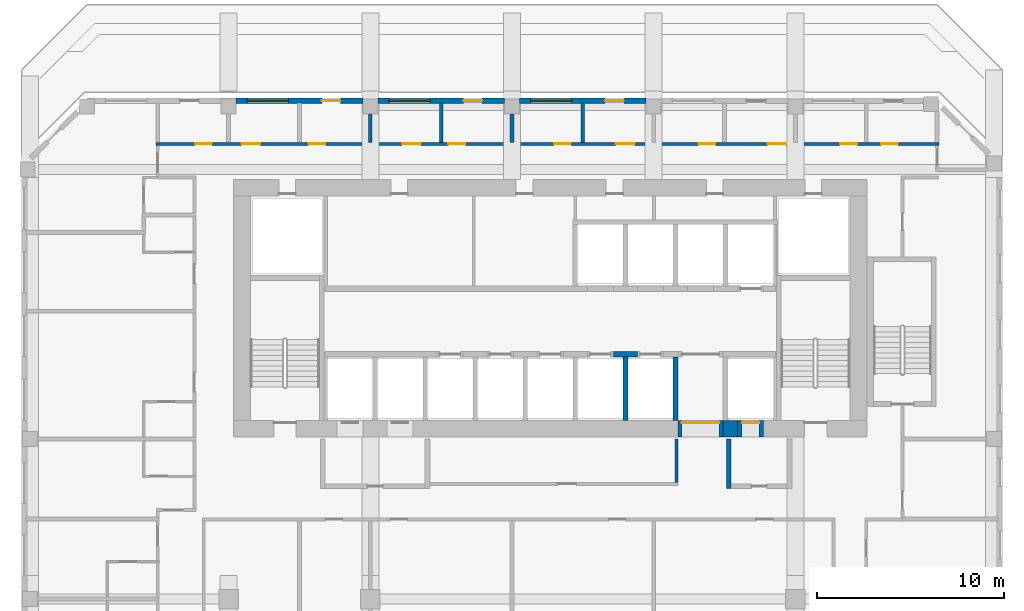
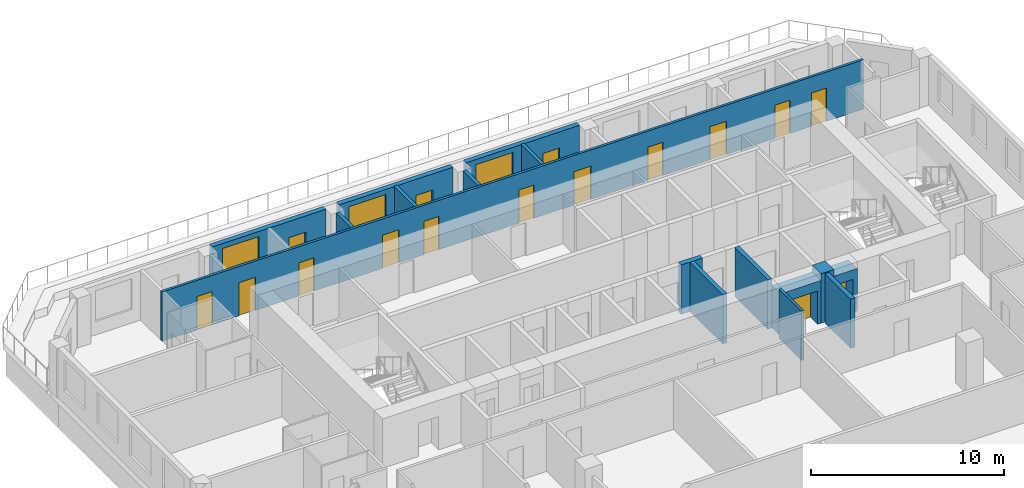
# One storey, part 9 of 16: 16 doors, 16 walls, 3 windows, 19 openings.
"""IFC4 building model written with IfcOpenShell, lengths in metres."""

from ifc_helpers import new_model, si_unit, direction, frame, frame_2d, origin, place, context, subcontext, project, spatial, rectangle, extrude, source, transform, mapped, material, layer, layer_set, type_object, element, fill, save


model = new_model("IFC4")

# Units and contexts
model_context = context("Model", 3, precision=1e-05, world=origin(), true_north=direction((0.0, 1.0)))
body_context = subcontext(model_context, "Body", "Model", "MODEL_VIEW")
ifc_project = project(units=[si_unit("LENGTHUNIT", "METRE"), si_unit("AREAUNIT", "SQUARE_METRE"), si_unit("VOLUMEUNIT", "CUBIC_METRE"), si_unit("PLANEANGLEUNIT", "RADIAN"), si_unit("MASSUNIT", "GRAM", prefix="KILO")], contexts=[model_context])

# Site, building, storey
site_placement = place(None, origin())
site = spatial("IfcSite", under=ifc_project, at=site_placement, CompositionType="ELEMENT")
building_placement = place(site_placement, origin())
building = spatial("IfcBuilding", under=site, at=building_placement, Name="Kilnfold Tower and Market Hall", CompositionType="ELEMENT")
storey_placement = place(building_placement, frame((0.0, 0.0, 168.5)))
storey = spatial("IfcBuildingStorey", under=building, at=storey_placement, Name="L39", CompositionType="ELEMENT", Elevation=168.5)

# Wall, openings, doors
ifc_material_1 = material(Name="Gypsum board on steel studs", Category="steel")
ifc_layer_1 = layer(ifc_material_1, 0.14990234375)
ifc_layer_set_1 = layer_set([ifc_layer_1], Name="Gypsum board on steel studs")
wall_type_1 = type_object("IfcWallType", Name="WALL CORRIDOR 150", PredefinedType="PARTITIONING", material=ifc_layer_set_1)
wall_1_placement = place(storey_placement, frame((-20.05908203125, 23.800048828125, 0.0), z_axis=(0.0, 0.0, 1.0), x_axis=(1.0, 0.0, 0.0)))
wall_1 = element("IfcWall", 1, at=wall_1_placement, inside=storey, type_object=wall_type_1, Name="Partition LY26.39", PredefinedType="PARTITIONING", context=body_context, shape_type="SweptSolid", body=[
    extrude(rectangle(XDim=41.9091796875, YDim=0.14990234375, at=frame_2d((20.95458984375, 0.0))), origin(), (0.0, 0.0, 1.0), 3.1201171875),
])
opening_1_placement = place(wall_1_placement, frame((2.10107421875, 0.0, 0.0)))
opening_1 = element("IfcOpeningElement", 2, at=opening_1_placement, cuts=wall_1, Name="Opening D2", PredefinedType="OPENING", context=body_context, shape_type="SweptSolid", body=[
    extrude(rectangle(XDim=0.89990234375, YDim=2.10009765625, at=frame_2d((0.449951171875, 1.050048828125))), frame((0.0, 0.0849609375, 0.0), z_axis=(0.0, -1.0, 0.0), x_axis=(1.0, 0.0, 0.0)), (0.0, 0.0, 1.0), 0.169921875),
])
opening_2_placement = place(wall_1_placement, frame((4.5849609375, 0.0, 0.0)))
opening_2 = element("IfcOpeningElement", 3, at=opening_2_placement, cuts=wall_1, Name="Opening D4", PredefinedType="OPENING", context=body_context, shape_type="SweptSolid", body=[
    extrude(rectangle(XDim=1.0, YDim=2.10009765625, at=frame_2d((0.5, 1.050048828125))), frame((0.0, 0.0849609375, 0.0), z_axis=(0.0, -1.0, 0.0), x_axis=(1.0, 0.0, 0.0)), (0.0, 0.0, 1.0), 0.169921875),
])
opening_3_placement = place(wall_1_placement, frame((8.175048828125, 0.0, 0.0)))
opening_3 = element("IfcOpeningElement", 4, at=opening_3_placement, cuts=wall_1, Name="Opening D2", PredefinedType="OPENING", context=body_context, shape_type="SweptSolid", body=[
    extrude(rectangle(XDim=0.89990234375, YDim=2.10009765625, at=frame_2d((0.449951171875, 1.050048828125))), frame((0.0, 0.0849609375, 0.0), z_axis=(0.0, -1.0, 0.0), x_axis=(1.0, 0.0, 0.0)), (0.0, 0.0, 1.0), 0.169921875),
])
opening_4_placement = place(wall_1_placement, frame((13.173095703125, 0.0, 0.0)))
opening_4 = element("IfcOpeningElement", 5, at=opening_4_placement, cuts=wall_1, Name="Opening D4", PredefinedType="OPENING", context=body_context, shape_type="SweptSolid", body=[
    extrude(rectangle(XDim=1.0, YDim=2.10009765625, at=frame_2d((0.5, 1.050048828125))), frame((0.0, 0.0849609375, 0.0), z_axis=(0.0, -1.0, 0.0), x_axis=(1.0, 0.0, 0.0)), (0.0, 0.0, 1.0), 0.169921875),
])
opening_5_placement = place(wall_1_placement, frame((15.657958984375, 0.0, 0.0)))
opening_5 = element("IfcOpeningElement", 6, at=opening_5_placement, cuts=wall_1, Name="Opening D2", PredefinedType="OPENING", context=body_context, shape_type="SweptSolid", body=[
    extrude(rectangle(XDim=0.89990234375, YDim=2.10009765625, at=frame_2d((0.449951171875, 1.050048828125))), frame((0.0, 0.0849609375, 0.0), z_axis=(0.0, -1.0, 0.0), x_axis=(1.0, 0.0, 0.0)), (0.0, 0.0, 1.0), 0.169921875),
])
opening_6_placement = place(wall_1_placement, frame((21.31494140625, 0.0, 0.0)))
opening_6 = element("IfcOpeningElement", 7, at=opening_6_placement, cuts=wall_1, Name="Opening D2", PredefinedType="OPENING", context=body_context, shape_type="SweptSolid", body=[
    extrude(rectangle(XDim=0.89990234375, YDim=2.10009765625, at=frame_2d((0.449951171875, 1.050048828125))), frame((0.0, 0.0849609375, 0.0), z_axis=(0.0, -1.0, 0.0), x_axis=(1.0, 0.0, 0.0)), (0.0, 0.0, 1.0), 0.169921875),
])
opening_7_placement = place(wall_1_placement, frame((24.625, 0.0, 0.0)))
opening_7 = element("IfcOpeningElement", 8, at=opening_7_placement, cuts=wall_1, Name="Opening D4", PredefinedType="OPENING", context=body_context, shape_type="SweptSolid", body=[
    extrude(rectangle(XDim=1.0, YDim=2.10009765625, at=frame_2d((0.5, 1.050048828125))), frame((0.0, 0.0849609375, 0.0), z_axis=(0.0, -1.0, 0.0), x_axis=(1.0, 0.0, 0.0)), (0.0, 0.0, 1.0), 0.169921875),
])
opening_8_placement = place(wall_1_placement, frame((29.04296875, 0.0, 0.0)))
opening_8 = element("IfcOpeningElement", 9, at=opening_8_placement, cuts=wall_1, Name="Opening D2", PredefinedType="OPENING", context=body_context, shape_type="SweptSolid", body=[
    extrude(rectangle(XDim=0.89990234375, YDim=2.10009765625, at=frame_2d((0.449951171875, 1.050048828125))), frame((0.0, 0.0849609375, 0.0), z_axis=(0.0, -1.0, 0.0), x_axis=(1.0, 0.0, 0.0)), (0.0, 0.0, 1.0), 0.169921875),
])
opening_9_placement = place(wall_1_placement, frame((32.735107421875, 0.0, 0.0)))
opening_9 = element("IfcOpeningElement", 10, at=opening_9_placement, cuts=wall_1, Name="Opening D4", PredefinedType="OPENING", context=body_context, shape_type="SweptSolid", body=[
    extrude(rectangle(XDim=1.0, YDim=2.10009765625, at=frame_2d((0.5, 1.050048828125))), frame((0.0, 0.0849609375, 0.0), z_axis=(0.0, -1.0, 0.0), x_axis=(1.0, 0.0, 0.0)), (0.0, 0.0, 1.0), 0.169921875),
])
opening_10_placement = place(wall_1_placement, frame((36.626953125, 0.0, 0.0)))
opening_10 = element("IfcOpeningElement", 11, at=opening_10_placement, cuts=wall_1, Name="Opening D2", PredefinedType="OPENING", context=body_context, shape_type="SweptSolid", body=[
    extrude(rectangle(XDim=0.89990234375, YDim=2.10009765625, at=frame_2d((0.449951171875, 1.050048828125))), frame((0.0, 0.0849609375, 0.0), z_axis=(0.0, -1.0, 0.0), x_axis=(1.0, 0.0, 0.0)), (0.0, 0.0, 1.0), 0.169921875),
])
opening_11_placement = place(wall_1_placement, frame((38.80810546875, 0.0, 0.0)))
opening_11 = element("IfcOpeningElement", 12, at=opening_11_placement, cuts=wall_1, Name="Opening D2", PredefinedType="OPENING", context=body_context, shape_type="SweptSolid", body=[
    extrude(rectangle(XDim=0.89990234375, YDim=2.10009765625, at=frame_2d((0.449951171875, 1.050048828125))), frame((0.0, 0.0849609375, 0.0), z_axis=(0.0, -1.0, 0.0), x_axis=(1.0, 0.0, 0.0)), (0.0, 0.0, 1.0), 0.169921875),
])
ifc_material_2 = material(Name="Timber veneer door leaf in steel frame", Category="steel")
door_type_1 = type_object("IfcDoorType", Name="DOOR ROOM 900 X2100", OperationType="NOTDEFINED", PredefinedType="DOOR", material=ifc_material_2)
door_1_placement = place(opening_1_placement, origin())
door_1 = element("IfcDoor", 13, at=door_1_placement, inside=storey, type_object=door_type_1, Name="Door D2", OperationType="SINGLE_SWING_RIGHT", OverallHeight=2.10009765625, OverallWidth=0.89990234375, PredefinedType="DOOR", context=body_context, shape_type="SweptSolid", body=[
    extrude(rectangle(XDim=0.89990234375, YDim=2.10009765625, at=frame_2d((0.449951171875, 1.050048828125))), frame((0.0, 0.02490234375, 0.0), z_axis=(0.0, -1.0, 0.0), x_axis=(1.0, 0.0, 0.0)), (0.0, 0.0, 1.0), 0.050048828125),
])
fill(opening_1, door_1)
door_2_placement = place(opening_3_placement, origin())
door_2 = element("IfcDoor", 14, at=door_2_placement, inside=storey, type_object=door_type_1, Name="Door D2", OperationType="SINGLE_SWING_LEFT", OverallHeight=2.10009765625, OverallWidth=0.89990234375, PredefinedType="DOOR", context=body_context, shape_type="SweptSolid", body=[
    extrude(rectangle(XDim=0.89990234375, YDim=2.10009765625, at=frame_2d((0.449951171875, 1.050048828125))), frame((0.0, 0.02490234375, 0.0), z_axis=(0.0, -1.0, 0.0), x_axis=(1.0, 0.0, 0.0)), (0.0, 0.0, 1.0), 0.050048828125),
])
fill(opening_3, door_2)
door_3_placement = place(opening_5_placement, origin())
door_3 = element("IfcDoor", 15, at=door_3_placement, inside=storey, type_object=door_type_1, Name="Door D2", OperationType="SINGLE_SWING_RIGHT", OverallHeight=2.10009765625, OverallWidth=0.89990234375, PredefinedType="DOOR", context=body_context, shape_type="SweptSolid", body=[
    extrude(rectangle(XDim=0.89990234375, YDim=2.10009765625, at=frame_2d((0.449951171875, 1.050048828125))), frame((0.0, 0.02490234375, 0.0), z_axis=(0.0, -1.0, 0.0), x_axis=(1.0, 0.0, 0.0)), (0.0, 0.0, 1.0), 0.050048828125),
])
fill(opening_5, door_3)
door_4_placement = place(opening_6_placement, origin())
door_4 = element("IfcDoor", 16, at=door_4_placement, inside=storey, type_object=door_type_1, Name="Door D2", OperationType="SINGLE_SWING_RIGHT", OverallHeight=2.10009765625, OverallWidth=0.89990234375, PredefinedType="DOOR", context=body_context, shape_type="SweptSolid", body=[
    extrude(rectangle(XDim=0.89990234375, YDim=2.10009765625, at=frame_2d((0.449951171875, 1.050048828125))), frame((0.0, 0.02490234375, 0.0), z_axis=(0.0, -1.0, 0.0), x_axis=(1.0, 0.0, 0.0)), (0.0, 0.0, 1.0), 0.050048828125),
])
fill(opening_6, door_4)
door_5_placement = place(opening_8_placement, origin())
door_5 = element("IfcDoor", 17, at=door_5_placement, inside=storey, type_object=door_type_1, Name="Door D2", OperationType="SINGLE_SWING_RIGHT", OverallHeight=2.10009765625, OverallWidth=0.89990234375, PredefinedType="DOOR", context=body_context, shape_type="SweptSolid", body=[
    extrude(rectangle(XDim=0.89990234375, YDim=2.10009765625, at=frame_2d((0.449951171875, 1.050048828125))), frame((0.0, 0.02490234375, 0.0), z_axis=(0.0, -1.0, 0.0), x_axis=(1.0, 0.0, 0.0)), (0.0, 0.0, 1.0), 0.050048828125),
])
fill(opening_8, door_5)
door_6_placement = place(opening_10_placement, origin())
door_6 = element("IfcDoor", 18, at=door_6_placement, inside=storey, type_object=door_type_1, Name="Door D2", OperationType="SINGLE_SWING_RIGHT", OverallHeight=2.10009765625, OverallWidth=0.89990234375, PredefinedType="DOOR", context=body_context, shape_type="SweptSolid", body=[
    extrude(rectangle(XDim=0.89990234375, YDim=2.10009765625, at=frame_2d((0.449951171875, 1.050048828125))), frame((0.0, 0.02490234375, 0.0), z_axis=(0.0, -1.0, 0.0), x_axis=(1.0, 0.0, 0.0)), (0.0, 0.0, 1.0), 0.050048828125),
])
fill(opening_10, door_6)
door_7_placement = place(opening_11_placement, origin())
door_7 = element("IfcDoor", 19, at=door_7_placement, inside=storey, type_object=door_type_1, Name="Door D2", OperationType="SINGLE_SWING_LEFT", OverallHeight=2.10009765625, OverallWidth=0.89990234375, PredefinedType="DOOR", context=body_context, shape_type="SweptSolid", body=[
    extrude(rectangle(XDim=0.89990234375, YDim=2.10009765625, at=frame_2d((0.449951171875, 1.050048828125))), frame((0.0, 0.02490234375, 0.0), z_axis=(0.0, -1.0, 0.0), x_axis=(1.0, 0.0, 0.0)), (0.0, 0.0, 1.0), 0.050048828125),
])
fill(opening_11, door_7)
ifc_material_3 = material(Name="Timber veneer door leaf in steel frame", Category="steel")
door_type_2 = type_object("IfcDoorType", Name="DOOR SERVICE 1000 X2100", OperationType="NOTDEFINED", PredefinedType="DOOR", material=ifc_material_3)
door_8_placement = place(opening_2_placement, origin())
door_8 = element("IfcDoor", 20, at=door_8_placement, inside=storey, type_object=door_type_2, Name="Door D4", OperationType="SINGLE_SWING_RIGHT", OverallHeight=2.10009765625, OverallWidth=1.0, PredefinedType="DOOR", context=body_context, shape_type="SweptSolid", body=[
    extrude(rectangle(XDim=1.0, YDim=2.10009765625, at=frame_2d((0.5, 1.050048828125))), frame((0.0, 0.02490234375, 0.0), z_axis=(0.0, -1.0, 0.0), x_axis=(1.0, 0.0, 0.0)), (0.0, 0.0, 1.0), 0.050048828125),
])
fill(opening_2, door_8)
door_9_placement = place(opening_4_placement, origin())
door_9 = element("IfcDoor", 21, at=door_9_placement, inside=storey, type_object=door_type_2, Name="Door D4", OperationType="SINGLE_SWING_RIGHT", OverallHeight=2.10009765625, OverallWidth=1.0, PredefinedType="DOOR", context=body_context, shape_type="SweptSolid", body=[
    extrude(rectangle(XDim=1.0, YDim=2.10009765625, at=frame_2d((0.5, 1.050048828125))), frame((0.0, 0.02490234375, 0.0), z_axis=(0.0, -1.0, 0.0), x_axis=(1.0, 0.0, 0.0)), (0.0, 0.0, 1.0), 0.050048828125),
])
fill(opening_4, door_9)
door_10_placement = place(opening_7_placement, origin())
door_10 = element("IfcDoor", 22, at=door_10_placement, inside=storey, type_object=door_type_2, Name="Door D4", OperationType="SINGLE_SWING_LEFT", OverallHeight=2.10009765625, OverallWidth=1.0, PredefinedType="DOOR", context=body_context, shape_type="SweptSolid", body=[
    extrude(rectangle(XDim=1.0, YDim=2.10009765625, at=frame_2d((0.5, 1.050048828125))), frame((0.0, 0.02490234375, 0.0), z_axis=(0.0, -1.0, 0.0), x_axis=(1.0, 0.0, 0.0)), (0.0, 0.0, 1.0), 0.050048828125),
])
fill(opening_7, door_10)
door_11_placement = place(opening_9_placement, origin())
door_11 = element("IfcDoor", 23, at=door_11_placement, inside=storey, type_object=door_type_2, Name="Door D4", OperationType="SINGLE_SWING_RIGHT", OverallHeight=2.10009765625, OverallWidth=1.0, PredefinedType="DOOR", context=body_context, shape_type="SweptSolid", body=[
    extrude(rectangle(XDim=1.0, YDim=2.10009765625, at=frame_2d((0.5, 1.050048828125))), frame((0.0, 0.02490234375, 0.0), z_axis=(0.0, -1.0, 0.0), x_axis=(1.0, 0.0, 0.0)), (0.0, 0.0, 1.0), 0.050048828125),
])
fill(opening_9, door_11)

# Walls
wall_2_placement = place(storey_placement, frame((7.800048828125, 8.0, 0.0), z_axis=(0.0, 0.0, 1.0), x_axis=(0.0, -1.0, 0.0)))
element("IfcWall", 24, at=wall_2_placement, inside=storey, type_object=wall_type_1, Name="Partition LY26.41", PredefinedType="PARTITIONING", context=body_context, shape_type="SweptSolid", body=[
    extrude(rectangle(XDim=2.324951171875, YDim=0.14990234375, at=frame_2d((1.16259765625, 0.0))), origin(), (0.0, 0.0, 1.0), 3.1201171875),
])
ifc_material_4 = material(Name="Gypsum board on steel studs", Category="steel")
ifc_layer_2 = layer(ifc_material_4, 0.199951171875)
ifc_layer_set_2 = layer_set([ifc_layer_2], Name="Gypsum board on steel studs")
wall_type_2 = type_object("IfcWallType", Name="WALL PARTY 200", PredefinedType="PARTITIONING", material=ifc_layer_set_2)
wall_3_placement = place(storey_placement, frame((-8.5830078125, 23.876953125, 0.0), z_axis=(0.0, 0.0, 1.0), x_axis=(0.0, 1.0, 0.0)))
element("IfcWall", 25, at=wall_3_placement, inside=storey, type_object=wall_type_2, Name="Partition LY26.126", PredefinedType="PARTITIONING", context=body_context, shape_type="SweptSolid", body=[
    extrude(rectangle(XDim=1.52294921875, YDim=0.199951171875, at=frame_2d((0.761474609375, 0.0))), origin(), (0.0, 0.0, 1.0), 3.1201171875),
])
wall_4_placement = place(storey_placement, frame((-4.7919921875, 23.876953125, 0.0), z_axis=(0.0, 0.0, 1.0), x_axis=(0.0, 1.0, 0.0)))
element("IfcWall", 26, at=wall_4_placement, inside=storey, type_object=wall_type_2, Name="Partition LY26.127", PredefinedType="PARTITIONING", context=body_context, shape_type="SweptSolid", body=[
    extrude(rectangle(XDim=2.123046875, YDim=0.199951171875, at=frame_2d((1.0615234375, 0.0))), origin(), (0.0, 0.0, 1.0), 3.1201171875),
])
wall_5_placement = place(storey_placement, frame((-1.0, 23.876953125, 0.0), z_axis=(0.0, 0.0, 1.0), x_axis=(0.0, 1.0, 0.0)))
element("IfcWall", 27, at=wall_5_placement, inside=storey, type_object=wall_type_2, Name="Partition LY26.128", PredefinedType="PARTITIONING", context=body_context, shape_type="SweptSolid", body=[
    extrude(rectangle(XDim=1.52294921875, YDim=0.199951171875, at=frame_2d((0.761474609375, 0.0))), origin(), (0.0, 0.0, 1.0), 3.1201171875),
])
wall_6_placement = place(storey_placement, frame((2.7919921875, 23.876953125, 0.0), z_axis=(0.0, 0.0, 1.0), x_axis=(0.0, 1.0, 0.0)))
element("IfcWall", 28, at=wall_6_placement, inside=storey, type_object=wall_type_2, Name="Partition LY26.129", PredefinedType="PARTITIONING", context=body_context, shape_type="SweptSolid", body=[
    extrude(rectangle(XDim=2.123046875, YDim=0.199951171875, at=frame_2d((1.0615234375, 0.0))), origin(), (0.0, 0.0, 1.0), 3.1201171875),
])
ifc_material_5 = material(Name="Concrete C70", Category="concrete")
ifc_layer_3 = layer(ifc_material_5, 0.89990234375)
ifc_layer_set_3 = layer_set([ifc_layer_3], Name="Concrete C70")
wall_type_3 = type_object("IfcWallType", Name="CORE WALL 900 C70", PredefinedType="SHEAR", material=ifc_layer_set_3)
shared_shape_1 = source(origin(), body_context, "Body", "SweptSolid", [
    extrude(rectangle(XDim=0.780029296875, YDim=0.89990234375, at=frame_2d((0.39013671875, 0.0))), origin(), (0.0, 0.0, 1.0), 3.1201171875),
])
wall_7_placement = place(storey_placement, frame((10.2900390625, 8.550048828125, 0.0), z_axis=(0.0, 0.0, 1.0), x_axis=(1.0, 0.0, 0.0)))
element("IfcWall", 29, at=wall_7_placement, inside=storey, type_object=wall_type_3, Name="Core outer wall south", PredefinedType="SHEAR", context=body_context, shape_type="MappedRepresentation", body=[
    mapped(shared_shape_1, transform((0.0, 0.0, 0.0))),
])
ifc_material_6 = material(Name="Concrete C70", Category="concrete")
ifc_layer_4 = layer(ifc_material_6, 0.300048828125)
ifc_layer_set_4 = layer_set([ifc_layer_4], Name="Concrete C70")
wall_type_4 = type_object("IfcWallType", Name="CORE WALL 300 C70", PredefinedType="SHEAR", material=ifc_layer_set_4)
shared_shape_2 = source(origin(), body_context, "Body", "SweptSolid", [
    extrude(rectangle(XDim=1.280029296875, YDim=0.300048828125, at=frame_2d((0.64013671875, 0.0))), origin(), (0.0, 0.0, 1.0), 3.1201171875),
])
wall_8_placement = place(storey_placement, frame((4.429931640625, 12.550048828125, 0.0), z_axis=(0.0, 0.0, 1.0), x_axis=(1.0, 0.0, 0.0)))
element("IfcWall", 30, at=wall_8_placement, inside=storey, type_object=wall_type_4, Name="Core spine wall", PredefinedType="SHEAR", context=body_context, shape_type="MappedRepresentation", body=[
    mapped(shared_shape_2, transform((0.0, 0.0, 0.0))),
])

# Wall, openings, door, window
ifc_material_7 = material(Name="Precast concrete C50/60", Category="concrete")
ifc_layer_5 = layer(ifc_material_7, 0.300048828125)
ifc_layer_set_5 = layer_set([ifc_layer_5], Name="Precast concrete C50/60")
wall_type_5 = type_object("IfcWallType", Name="PRECAST WALL 300", PredefinedType="SOLIDWALL", material=ifc_layer_set_5)
shared_shape_3 = source(origin(), body_context, "Body", "SweptSolid", [
    extrude(rectangle(XDim=6.783447265625, YDim=0.300048828125, at=frame_2d((3.3916015625, 0.0))), origin(), (0.0, 0.0, 1.0), 3.1201171875),
])
wall_9_placement = place(storey_placement, frame((6.183349609375, 26.10009765625, 0.0), z_axis=(0.0, 0.0, 1.0), x_axis=(-1.0, 0.0, 0.0)))
wall_9 = element("IfcWall", 31, at=wall_9_placement, inside=storey, type_object=wall_type_5, Name="External wall L39 N", PredefinedType="SOLIDWALL", context=body_context, shape_type="MappedRepresentation", body=[
    mapped(shared_shape_3, transform((0.0, 0.0, 0.0))),
])
opening_12_placement = place(wall_9_placement, frame((1.19580078125, 0.0, 0.0)))
opening_12 = element("IfcOpeningElement", 32, at=opening_12_placement, cuts=wall_9, Name="Opening BD1", PredefinedType="OPENING", context=body_context, shape_type="SweptSolid", body=[
    extrude(rectangle(XDim=1.0, YDim=2.10009765625, at=frame_2d((0.5, 1.050048828125))), frame((0.0, 0.16015625, 0.0), z_axis=(0.0, -1.0, 0.0), x_axis=(1.0, 0.0, 0.0)), (0.0, 0.0, 1.0), 0.320068359375),
])
opening_13_placement = place(wall_9_placement, frame((3.987548828125, 0.0, 0.85009765625)))
opening_13 = element("IfcOpeningElement", 33, at=opening_13_placement, cuts=wall_9, Name="Opening W2", PredefinedType="OPENING", context=body_context, shape_type="SweptSolid", body=[
    extrude(rectangle(XDim=2.199951171875, YDim=1.949951171875, at=frame_2d((1.10009765625, 0.97509765625))), frame((0.0, 0.16015625, 0.0), z_axis=(0.0, -1.0, 0.0), x_axis=(1.0, 0.0, 0.0)), (0.0, 0.0, 1.0), 0.320068359375),
])
ifc_material_8 = material(Name="Aluminium frame and double glazing", Category="aluminium")
door_type_3 = type_object("IfcDoorType", Name="BALCONY DOOR 1000X2100", OperationType="NOTDEFINED", PredefinedType="DOOR", material=ifc_material_8)
door_12_placement = place(opening_12_placement, origin())
door_12 = element("IfcDoor", 34, at=door_12_placement, inside=storey, type_object=door_type_3, Name="Balcony door BD1 L39 N-1", OperationType="SINGLE_SWING_LEFT", OverallHeight=2.10009765625, OverallWidth=1.0, PredefinedType="DOOR", context=body_context, shape_type="SweptSolid", body=[
    extrude(rectangle(XDim=1.0, YDim=2.10009765625, at=frame_2d((0.5, 1.050048828125))), frame((0.0, 0.02490234375, 0.0), z_axis=(0.0, -1.0, 0.0), x_axis=(1.0, 0.0, 0.0)), (0.0, 0.0, 1.0), 0.050048828125),
])
fill(opening_12, door_12)
ifc_material_9 = material(Name="Aluminium frame and double glazing", Category="aluminium")
window_type = type_object("IfcWindowType", Name="WINDOW W2 2200X1950", PartitioningType="SINGLE_PANEL", PredefinedType="WINDOW", material=ifc_material_9)
window_1_placement = place(opening_13_placement, origin())
window_1 = element("IfcWindow", 35, at=window_1_placement, inside=storey, type_object=window_type, Name="Window W2 L39 N-2", OverallHeight=1.949951171875, OverallWidth=2.199951171875, PartitioningType="SINGLE_PANEL", PredefinedType="WINDOW", context=body_context, shape_type="SweptSolid", body=[
    extrude(rectangle(XDim=2.199951171875, YDim=1.949951171875, at=frame_2d((1.10009765625, 0.97509765625))), frame((0.0, 0.030029296875, 0.0), z_axis=(0.0, -1.0, 0.0), x_axis=(1.0, 0.0, 0.0)), (0.0, 0.0, 1.0), 0.06005859375),
])
fill(opening_13, window_1)

wall_10_placement = place(storey_placement, frame((-1.39990234375, 26.10009765625, 0.0), z_axis=(0.0, 0.0, 1.0), x_axis=(-1.0, 0.0, 0.0)))
wall_10 = element("IfcWall", 36, at=wall_10_placement, inside=storey, type_object=wall_type_5, Name="External wall L39 N", PredefinedType="SOLIDWALL", context=body_context, shape_type="MappedRepresentation", body=[
    mapped(shared_shape_3, transform((0.0, 0.0, 0.0))),
])
opening_14_placement = place(wall_10_placement, frame((1.19580078125, 0.0, 0.0)))
opening_14 = element("IfcOpeningElement", 37, at=opening_14_placement, cuts=wall_10, Name="Opening BD1", PredefinedType="OPENING", context=body_context, shape_type="SweptSolid", body=[
    extrude(rectangle(XDim=1.0, YDim=2.10009765625, at=frame_2d((0.5, 1.050048828125))), frame((0.0, 0.16015625, 0.0), z_axis=(0.0, -1.0, 0.0), x_axis=(1.0, 0.0, 0.0)), (0.0, 0.0, 1.0), 0.320068359375),
])
opening_15_placement = place(wall_10_placement, frame((3.987548828125, 0.0, 0.85009765625)))
opening_15 = element("IfcOpeningElement", 38, at=opening_15_placement, cuts=wall_10, Name="Opening W2", PredefinedType="OPENING", context=body_context, shape_type="SweptSolid", body=[
    extrude(rectangle(XDim=2.199951171875, YDim=1.949951171875, at=frame_2d((1.10009765625, 0.97509765625))), frame((0.0, 0.16015625, 0.0), z_axis=(0.0, -1.0, 0.0), x_axis=(1.0, 0.0, 0.0)), (0.0, 0.0, 1.0), 0.320068359375),
])
door_13_placement = place(opening_14_placement, origin())
door_13 = element("IfcDoor", 39, at=door_13_placement, inside=storey, type_object=door_type_3, Name="Balcony door BD1 L39 N-1", OperationType="SINGLE_SWING_LEFT", OverallHeight=2.10009765625, OverallWidth=1.0, PredefinedType="DOOR", context=body_context, shape_type="SweptSolid", body=[
    extrude(rectangle(XDim=1.0, YDim=2.10009765625, at=frame_2d((0.5, 1.050048828125))), frame((0.0, 0.02490234375, 0.0), z_axis=(0.0, -1.0, 0.0), x_axis=(1.0, 0.0, 0.0)), (0.0, 0.0, 1.0), 0.050048828125),
])
fill(opening_14, door_13)
window_2_placement = place(opening_15_placement, origin())
window_2 = element("IfcWindow", 40, at=window_2_placement, inside=storey, type_object=window_type, Name="Window W2 L39 N-2", OverallHeight=1.949951171875, OverallWidth=2.199951171875, PartitioningType="SINGLE_PANEL", PredefinedType="WINDOW", context=body_context, shape_type="SweptSolid", body=[
    extrude(rectangle(XDim=2.199951171875, YDim=1.949951171875, at=frame_2d((1.10009765625, 0.97509765625))), frame((0.0, 0.030029296875, 0.0), z_axis=(0.0, -1.0, 0.0), x_axis=(1.0, 0.0, 0.0)), (0.0, 0.0, 1.0), 0.06005859375),
])
fill(opening_15, window_2)

shared_shape_4 = source(origin(), body_context, "Body", "SweptSolid", [
    extrude(rectangle(XDim=6.783203125, YDim=0.300048828125, at=frame_2d((3.3916015625, 0.0))), origin(), (0.0, 0.0, 1.0), 3.1201171875),
])
wall_11_placement = place(storey_placement, frame((-8.9833984375, 26.10009765625, 0.0), z_axis=(0.0, 0.0, 1.0), x_axis=(-1.0, 0.0, 0.0)))
wall_11 = element("IfcWall", 41, at=wall_11_placement, inside=storey, type_object=wall_type_5, Name="External wall L39 N", PredefinedType="SOLIDWALL", context=body_context, shape_type="MappedRepresentation", body=[
    mapped(shared_shape_4, transform((0.0, 0.0, 0.0))),
])
opening_16_placement = place(wall_11_placement, frame((1.19580078125, 0.0, 0.0)))
opening_16 = element("IfcOpeningElement", 42, at=opening_16_placement, cuts=wall_11, Name="Opening BD1", PredefinedType="OPENING", context=body_context, shape_type="SweptSolid", body=[
    extrude(rectangle(XDim=1.0, YDim=2.10009765625, at=frame_2d((0.5, 1.050048828125))), frame((0.0, 0.16015625, 0.0), z_axis=(0.0, -1.0, 0.0), x_axis=(1.0, 0.0, 0.0)), (0.0, 0.0, 1.0), 0.320068359375),
])
opening_17_placement = place(wall_11_placement, frame((3.987548828125, 0.0, 0.85009765625)))
opening_17 = element("IfcOpeningElement", 43, at=opening_17_placement, cuts=wall_11, Name="Opening W2", PredefinedType="OPENING", context=body_context, shape_type="SweptSolid", body=[
    extrude(rectangle(XDim=2.199951171875, YDim=1.949951171875, at=frame_2d((1.10009765625, 0.97509765625))), frame((0.0, 0.16015625, 0.0), z_axis=(0.0, -1.0, 0.0), x_axis=(1.0, 0.0, 0.0)), (0.0, 0.0, 1.0), 0.320068359375),
])
door_14_placement = place(opening_16_placement, origin())
door_14 = element("IfcDoor", 44, at=door_14_placement, inside=storey, type_object=door_type_3, Name="Balcony door BD1 L39 N-1", OperationType="SINGLE_SWING_LEFT", OverallHeight=2.10009765625, OverallWidth=1.0, PredefinedType="DOOR", context=body_context, shape_type="SweptSolid", body=[
    extrude(rectangle(XDim=1.0, YDim=2.10009765625, at=frame_2d((0.5, 1.050048828125))), frame((0.0, 0.02490234375, 0.0), z_axis=(0.0, -1.0, 0.0), x_axis=(1.0, 0.0, 0.0)), (0.0, 0.0, 1.0), 0.050048828125),
])
fill(opening_16, door_14)
window_3_placement = place(opening_17_placement, origin())
window_3 = element("IfcWindow", 45, at=window_3_placement, inside=storey, type_object=window_type, Name="Window W2 L39 N-2", OverallHeight=1.949951171875, OverallWidth=2.199951171875, PartitioningType="SINGLE_PANEL", PredefinedType="WINDOW", context=body_context, shape_type="SweptSolid", body=[
    extrude(rectangle(XDim=2.199951171875, YDim=1.949951171875, at=frame_2d((1.10009765625, 0.97509765625))), frame((0.0, 0.030029296875, 0.0), z_axis=(0.0, -1.0, 0.0), x_axis=(1.0, 0.0, 0.0)), (0.0, 0.0, 1.0), 0.06005859375),
])
fill(opening_17, window_3)

# Wall, opening, door
ifc_material_10 = material(Name="Gypsum shaft wall system")
ifc_layer_6 = layer(ifc_material_10, 0.89990234375)
ifc_layer_set_6 = layer_set([ifc_layer_6], Name="Gypsum shaft wall system")
wall_type_6 = type_object("IfcWallType", Name="LOBBY WALL 900", PredefinedType="PARTITIONING", material=ifc_layer_set_6)
shared_shape_5 = source(origin(), body_context, "Body", "SweptSolid", [
    extrude(rectangle(XDim=1.39990234375, YDim=0.89990234375, at=frame_2d((0.699951171875, 0.0))), origin(), (0.0, 0.0, 1.0), 2.699951171875),
])
wall_12_placement = place(storey_placement, frame((11.070068359375, 8.550048828125, 0.0), z_axis=(0.0, 0.0, 1.0), x_axis=(1.0, 0.0, 0.0)))
wall_12 = element("IfcWall", 46, at=wall_12_placement, inside=storey, type_object=wall_type_6, Name="Core wall infill", PredefinedType="PARTITIONING", context=body_context, shape_type="MappedRepresentation", body=[
    mapped(shared_shape_5, transform((0.0, 0.0, 0.0))),
])
opening_18_placement = place(wall_12_placement, frame((0.25, 0.0, 0.0)))
opening_18 = element("IfcOpeningElement", 47, at=opening_18_placement, cuts=wall_12, Name="Opening LD1", PredefinedType="OPENING", context=body_context, shape_type="SweptSolid", body=[
    extrude(rectangle(XDim=0.89990234375, YDim=2.10009765625, at=frame_2d((0.449951171875, 1.050048828125))), frame((0.0, 0.4599609375, 0.0), z_axis=(0.0, -1.0, 0.0), x_axis=(1.0, 0.0, 0.0)), (0.0, 0.0, 1.0), 0.919921875),
])
ifc_material_11 = material(Name="Steel door set with fire-resisting leaf", Category="steel")
door_type_4 = type_object("IfcDoorType", Name="FIREFIGHTING LANDING DOOR 900X2100", OperationType="NOTDEFINED", PredefinedType="DOOR", material=ifc_material_11)
door_15_placement = place(opening_18_placement, origin())
door_15 = element("IfcDoor", 48, at=door_15_placement, inside=storey, type_object=door_type_4, Name="Landing door FF3", OperationType="SLIDING_TO_LEFT", OverallHeight=2.10009765625, OverallWidth=0.89990234375, PredefinedType="DOOR", context=body_context, shape_type="SweptSolid", body=[
    extrude(rectangle(XDim=0.89990234375, YDim=2.10009765625, at=frame_2d((0.449951171875, 1.050048828125))), frame((0.0, 0.35498046875, 0.0), z_axis=(0.0, -1.0, 0.0), x_axis=(1.0, 0.0, 0.0)), (0.0, 0.0, 1.0), 0.050048828125),
])
fill(opening_18, door_15)

shared_shape_6 = source(origin(), body_context, "Body", "SweptSolid", [
    extrude(rectangle(XDim=2.400146484375, YDim=0.89990234375, at=frame_2d((1.2001953125, 0.0))), origin(), (0.0, 0.0, 1.0), 2.699951171875),
])
wall_13_placement = place(storey_placement, frame((7.889892578125, 8.550048828125, 0.0), z_axis=(0.0, 0.0, 1.0), x_axis=(1.0, 0.0, 0.0)))
wall_13 = element("IfcWall", 49, at=wall_13_placement, inside=storey, type_object=wall_type_6, Name="Core wall infill", PredefinedType="PARTITIONING", context=body_context, shape_type="MappedRepresentation", body=[
    mapped(shared_shape_6, transform((0.0, 0.0, 0.0))),
])
opening_19_placement = place(wall_13_placement, frame((0.199951171875, 0.0, 0.0)))
opening_19 = element("IfcOpeningElement", 50, at=opening_19_placement, cuts=wall_13, Name="Opening VD2", PredefinedType="OPENING", context=body_context, shape_type="SweptSolid", body=[
    extrude(rectangle(XDim=2.0, YDim=2.10009765625, at=frame_2d((1.0, 1.050048828125))), frame((0.0, 0.4599609375, 0.0), z_axis=(0.0, -1.0, 0.0), x_axis=(1.0, 0.0, 0.0)), (0.0, 0.0, 1.0), 0.919921875),
])
ifc_material_12 = material(Name="Steel door set with fire-resisting leaf", Category="steel")
door_type_5 = type_object("IfcDoorType", Name="LIFT LOBBY ENTRANCE DOOR 2000X2100", OperationType="NOTDEFINED", PredefinedType="DOOR", material=ifc_material_12)
door_16_placement = place(opening_19_placement, origin())
door_16 = element("IfcDoor", 51, at=door_16_placement, inside=storey, type_object=door_type_5, Name="Lift lobby entrance door", OperationType="DOUBLE_DOOR_SINGLE_SWING", OverallHeight=2.10009765625, OverallWidth=2.0, PredefinedType="DOOR", context=body_context, shape_type="SweptSolid", body=[
    extrude(rectangle(XDim=2.0, YDim=2.10009765625, at=frame_2d((1.0, 1.050048828125))), frame((0.0, 0.35498046875, 0.0), z_axis=(0.0, -1.0, 0.0), x_axis=(1.0, 0.0, 0.0)), (0.0, 0.0, 1.0), 0.050048828125),
])
fill(opening_19, door_16)

# Walls
ifc_material_13 = material(Name="Gypsum shaft wall system")
ifc_layer_7 = layer(ifc_material_13, 0.25)
ifc_layer_set_7 = layer_set([ifc_layer_7], Name="Gypsum shaft wall system")
wall_type_7 = type_object("IfcWallType", Name="LOBBY WALL 250", PredefinedType="PARTITIONING", material=ifc_layer_set_7)
shared_shape_7 = source(origin(), body_context, "Body", "SweptSolid", [
    extrude(rectangle(XDim=2.64990234375, YDim=0.25, at=frame_2d((1.324951171875, 0.0))), origin(), (0.0, 0.0, 1.0), 3.1201171875),
])
wall_14_placement = place(storey_placement, frame((10.60498046875, 5.35009765625, 0.0), z_axis=(0.0, 0.0, 1.0), x_axis=(0.0, 1.0, 0.0)))
element("IfcWall", 52, at=wall_14_placement, inside=storey, type_object=wall_type_7, Name="Firefighting lobby wall", PredefinedType="PARTITIONING", context=body_context, shape_type="MappedRepresentation", body=[
    mapped(shared_shape_7, transform((0.0, 0.0, 0.0))),
])
ifc_material_14 = material(Name="Gypsum shaft wall system")
ifc_layer_8 = layer(ifc_material_14, 0.25)
ifc_layer_set_8 = layer_set([ifc_layer_8], Name="Gypsum shaft wall system")
wall_type_8 = type_object("IfcWallType", Name="SHAFT WALL 250", PredefinedType="PARTITIONING", material=ifc_layer_set_8)
shared_shape_8 = source(origin(), body_context, "Body", "SweptSolid", [
    extrude(rectangle(XDim=3.39990234375, YDim=0.25, at=frame_2d((1.699951171875, 0.0))), origin(), (0.0, 0.0, 1.0), 3.1201171875),
])
for number, where, z_axis, x_axis, name in (
    (53, (5.070068359375, 9.0, 0.0), (0.0, 0.0, 1.0), (0.0, 1.0, 0.0), "Lift shaft wall"),
    (54, (7.75, 9.0, 0.0), (0.0, 0.0, 1.0), (0.0, 1.0, 0.0), "Lift shaft wall"),
):
    element("IfcWall", number, at=place(storey_placement, frame(where, z_axis=z_axis, x_axis=x_axis)), inside=storey, type_object=wall_type_8, Name=name, PredefinedType="PARTITIONING", context=body_context, shape_type="MappedRepresentation", body=[
        mapped(shared_shape_8, transform((0.0, 0.0, 0.0))),
    ])

save(model, "model.ifc")
